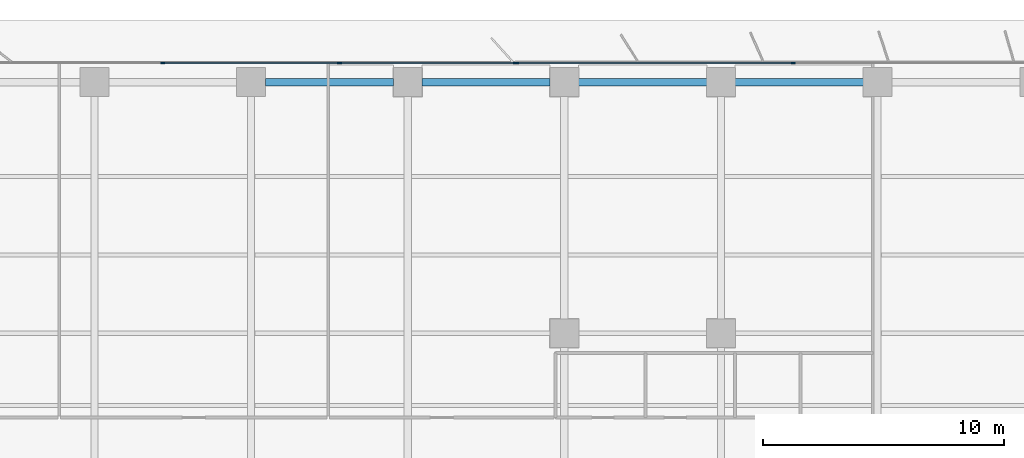
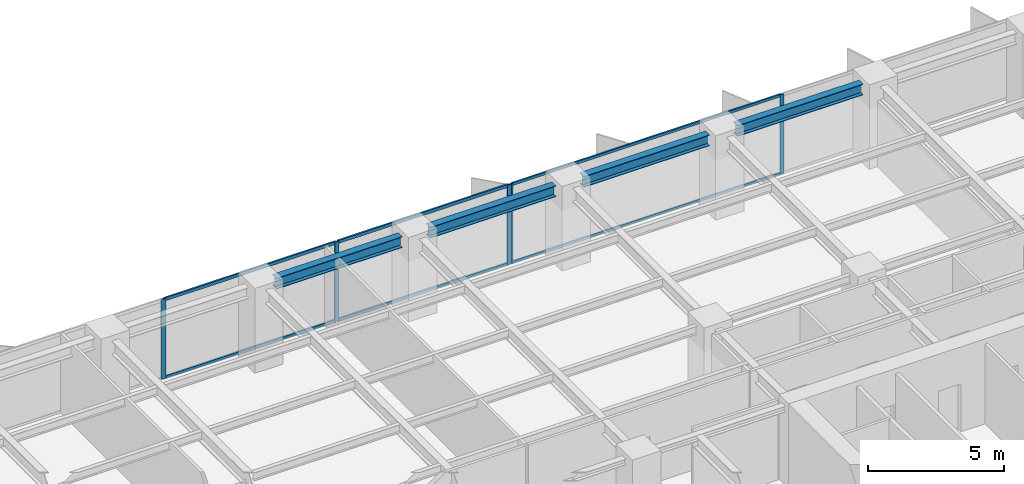
# One storey, part 9 of 19: 11 members, 4 beams, 2 elements without a shape of their own.
"""IFC4 building model written with IfcOpenShell, lengths in metres."""

from ifc_helpers import new_model, si_unit, direction, frame, origin, origin_2d, place, context, subcontext, project, spatial, rectangle, i_section, extrude, material, layer, layer_set, material_profile, profile_set, type_object, element, aggregate, save


model = new_model("IFC4")

# Units and contexts
model_context = context("Model", 3, precision=1e-05, world=origin(), true_north=direction((0.0, 1.0)))
body_context = subcontext(model_context, "Body", "Model", "MODEL_VIEW")
ifc_project = project(units=[si_unit("LENGTHUNIT", "METRE"), si_unit("AREAUNIT", "SQUARE_METRE"), si_unit("VOLUMEUNIT", "CUBIC_METRE"), si_unit("PLANEANGLEUNIT", "RADIAN"), si_unit("MASSUNIT", "GRAM", prefix="KILO")], contexts=[model_context])

# Site, building, storey
site_placement = place(None, origin())
site = spatial("IfcSite", under=ifc_project, at=site_placement, CompositionType="ELEMENT")
building_placement = place(site_placement, origin())
building = spatial("IfcBuilding", under=site, at=building_placement, Name="Putna Gate Headquarters", CompositionType="ELEMENT")
storey_placement = place(building_placement, frame((0.0, 0.0, 86.0)))
storey = spatial("IfcBuildingStorey", under=building, at=storey_placement, Name="L20", CompositionType="ELEMENT", Elevation=86.0)

# Beams
ifc_material_1 = material(Name="Steel S355J2", Category="steel")
ifc_material_profile_1 = material_profile(ifc_material_1, i_section(OverallWidth=0.300048828125, OverallDepth=0.489990234375, WebThickness=0.011962890625, FlangeThickness=0.02294921875, at=origin_2d()), Name="Steel S355J2")
ifc_profile_set_1 = profile_set([ifc_material_profile_1], Name="Steel S355J2")
beam_type = type_object("IfcBeamType", Name="BM-SPAN-Z2-HEA500", PredefinedType="SPANDREL", material=ifc_profile_set_1)
for number, where, z_axis, x_axis, name in (
    (1, (39.587890625, 49.419921875, 3.320068359375), (1.0, 0.0, 0.0), (0.0, 1.0, 0.0), "L20 N Perimeter Spandrel 6"),
    (2, (46.087890625, 49.419921875, 3.320068359375), (1.0, 0.0, 0.0), (0.0, 1.0, 0.0), "L20 N Perimeter Spandrel 7"),
    (3, (52.587890625, 49.419921875, 3.320068359375), (1.0, 0.0, 0.0), (0.0, 1.0, 0.0), "L20 N Perimeter Spandrel 8"),
    (4, (59.087890625, 49.419921875, 3.320068359375), (1.0, 0.0, 0.0), (0.0, 1.0, 0.0), "L20 N Perimeter Spandrel 9"),
):
    element("IfcBeam", number, at=place(storey_placement, frame(where, z_axis=z_axis, x_axis=x_axis)), inside=storey, type_object=beam_type, Name=name, PredefinedType="SPANDREL", context=body_context, shape_type="SweptSolid", body=[
        extrude(i_section(OverallWidth=0.300048828125, OverallDepth=0.489990234375, WebThickness=0.011962890625, FlangeThickness=0.02294921875, at=origin_2d()), origin(), (0.0, 0.0, 1.0), 5.32421875),
    ])

# Curtain wall, members
ifc_material_2 = material(Name="Anodised bronze aluminium curtain wall", Category="aluminium")
ifc_layer_1 = layer(ifc_material_2, 0.159912109375)
ifc_layer_set_1 = layer_set([ifc_layer_1], Name="Anodised bronze aluminium curtain wall")
curtain_wall_type_1 = type_object("IfcCurtainWallType", Name="CW-SYS-Z2", PredefinedType="USERDEFINED", material=ifc_layer_set_1)
curtain_wall_1_placement = place(storey_placement, origin())
curtain_wall_1 = element("IfcCurtainWall", 5, at=curtain_wall_1_placement, inside=storey, type_object=curtain_wall_type_1, Name="L20 North East Curtain Wall", ObjectType="STICK CURTAIN WALL", PredefinedType="USERDEFINED")
ifc_material_3 = material(Name="Anodised bronze aluminium EN AW-6060", Category="aluminium")
ifc_material_profile_2 = material_profile(ifc_material_3, rectangle(XDim=0.06494140625, YDim=0.159912109375, at=origin_2d()), Name="Anodised bronze aluminium EN AW-6060")
ifc_profile_set_2 = profile_set([ifc_material_profile_2], Name="Anodised bronze aluminium EN AW-6060")
member_type_1 = type_object("IfcMemberType", Name="MULL-CWM-2", PredefinedType="MULLION", material=ifc_profile_set_2)
member_1_placement = place(storey_placement, frame((50.032470703125, 50.219970703125, 0.0), z_axis=(0.0, 0.0, 1.0), x_axis=(0.0, 1.0, 0.0)))
member_1 = element("IfcMember", 6, at=member_1_placement, type_object=member_type_1, Name="CWS-2 mullion 1", PredefinedType="MULLION", context=body_context, shape_type="SweptSolid", body=[
    extrude(rectangle(XDim=0.06494140625, YDim=0.159912109375, at=origin_2d()), origin(), (0.0, 0.0, 1.0), 3.56494140625),
])
member_2_placement = place(storey_placement, frame((61.5, 50.219970703125, 0.0), z_axis=(0.0, 0.0, 1.0), x_axis=(0.0, 1.0, 0.0)))
member_2 = element("IfcMember", 7, at=member_2_placement, type_object=member_type_1, Name="CWS-2 mullion 2", PredefinedType="MULLION", context=body_context, shape_type="SweptSolid", body=[
    extrude(rectangle(XDim=0.06494140625, YDim=0.159912109375, at=origin_2d()), origin(), (0.0, 0.0, 1.0), 3.56494140625),
])

ifc_layer_2 = layer(ifc_material_2, 0.179931640625)
ifc_layer_set_2 = layer_set([ifc_layer_2], Name="Anodised bronze aluminium curtain wall")
curtain_wall_type_2 = type_object("IfcCurtainWallType", Name="CW-SYS-ATR", PredefinedType="USERDEFINED", material=ifc_layer_set_2)
curtain_wall_2_placement = place(storey_placement, origin())
curtain_wall_2 = element("IfcCurtainWall", 8, at=curtain_wall_2_placement, inside=storey, type_object=curtain_wall_type_2, Name="L20 North Atrium Clear Glazing", ObjectType="ATRIUM GLAZING", PredefinedType="USERDEFINED")
ifc_material_profile_3 = material_profile(ifc_material_3, rectangle(XDim=0.070068359375, YDim=0.179931640625, at=origin_2d()), Name="Anodised bronze aluminium EN AW-6060")
ifc_profile_set_3 = profile_set([ifc_material_profile_3], Name="Anodised bronze aluminium EN AW-6060")
member_type_2 = type_object("IfcMemberType", Name="MULL-CWM-AT", PredefinedType="MULLION", material=ifc_profile_set_3)
member_3_placement = place(storey_placement, frame((35.333251953125, 50.219970703125, 0.0), z_axis=(0.0, 0.0, 1.0), x_axis=(0.0, 1.0, 0.0)))
member_3 = element("IfcMember", 9, at=member_3_placement, type_object=member_type_2, Name="CWS-AT mullion 2", PredefinedType="MULLION", context=body_context, shape_type="SweptSolid", body=[
    extrude(rectangle(XDim=0.070068359375, YDim=0.179931640625, at=origin_2d()), origin(), (0.0, 0.0, 1.0), 3.56494140625),
])
member_4_placement = place(storey_placement, frame((42.666748046875, 50.219970703125, 0.0), z_axis=(0.0, 0.0, 1.0), x_axis=(0.0, 1.0, 0.0)))
member_4 = element("IfcMember", 10, at=member_4_placement, type_object=member_type_2, Name="CWS-AT mullion 3", PredefinedType="MULLION", context=body_context, shape_type="SweptSolid", body=[
    extrude(rectangle(XDim=0.070068359375, YDim=0.179931640625, at=origin_2d()), origin(), (0.0, 0.0, 1.0), 3.56494140625),
])
member_5_placement = place(storey_placement, frame((49.965087890625, 50.219970703125, 0.0), z_axis=(0.0, 0.0, 1.0), x_axis=(0.0, 1.0, 0.0)))
member_5 = element("IfcMember", 11, at=member_5_placement, type_object=member_type_2, Name="CWS-AT mullion 4", PredefinedType="MULLION", context=body_context, shape_type="SweptSolid", body=[
    extrude(rectangle(XDim=0.070068359375, YDim=0.179931640625, at=origin_2d()), origin(), (0.0, 0.0, 1.0), 3.56494140625),
])

# Member
ifc_material_profile_4 = material_profile(ifc_material_3, rectangle(XDim=0.06494140625, YDim=0.1201171875, at=origin_2d()), Name="Anodised bronze aluminium EN AW-6060")
ifc_profile_set_4 = profile_set([ifc_material_profile_4], Name="Anodised bronze aluminium EN AW-6060")
member_type_3 = type_object("IfcMemberType", Name="TRAN-CWT-2", PredefinedType="USERDEFINED", material=ifc_profile_set_4)
member_6_placement = place(storey_placement, frame((50.06494140625, 50.219970703125, 0.032470703125), z_axis=(1.0, 0.0, 0.0), x_axis=(0.0, 1.0, 0.0)))
member_6 = element("IfcMember", 12, at=member_6_placement, type_object=member_type_3, Name="CWS-2 transom 1.1", ObjectType="TRANSOM", PredefinedType="USERDEFINED", context=body_context, shape_type="SweptSolid", body=[
    extrude(rectangle(XDim=0.06494140625, YDim=0.1201171875, at=origin_2d()), origin(), (0.0, 0.0, 1.0), 11.402587890625),
])

member_7_placement = place(storey_placement, frame((50.06494140625, 50.219970703125, 3.532470703125), z_axis=(1.0, 0.0, 0.0), x_axis=(0.0, 1.0, 0.0)))
member_7 = element("IfcMember", 13, at=member_7_placement, type_object=member_type_3, Name="CWS-2 transom 1.2", ObjectType="TRANSOM", PredefinedType="USERDEFINED", context=body_context, shape_type="SweptSolid", body=[
    extrude(rectangle(XDim=0.06494140625, YDim=0.1201171875, at=origin_2d()), origin(), (0.0, 0.0, 1.0), 11.402587890625),
])

aggregate(curtain_wall_1, [member_1, member_2, member_6, member_7])

ifc_material_profile_5 = material_profile(ifc_material_3, rectangle(XDim=0.070068359375, YDim=0.139892578125, at=origin_2d()), Name="Anodised bronze aluminium EN AW-6060")
ifc_profile_set_5 = profile_set([ifc_material_profile_5], Name="Anodised bronze aluminium EN AW-6060")
member_type_4 = type_object("IfcMemberType", Name="TRAN-CWT-AT", PredefinedType="USERDEFINED", material=ifc_profile_set_5)
member_8_placement = place(storey_placement, frame((35.368408203125, 50.219970703125, 0.034912109375), z_axis=(1.0, 0.0, 0.0), x_axis=(0.0, 1.0, 0.0)))
member_8 = element("IfcMember", 14, at=member_8_placement, type_object=member_type_4, Name="CWS-AT transom 2.1", ObjectType="TRANSOM", PredefinedType="USERDEFINED", context=body_context, shape_type="SweptSolid", body=[
    extrude(rectangle(XDim=0.070068359375, YDim=0.139892578125, at=origin_2d()), origin(), (0.0, 0.0, 1.0), 7.26318359375),
])

member_9_placement = place(storey_placement, frame((35.368408203125, 50.219970703125, 3.530029296875), z_axis=(1.0, 0.0, 0.0), x_axis=(0.0, 1.0, 0.0)))
member_9 = element("IfcMember", 15, at=member_9_placement, type_object=member_type_4, Name="CWS-AT transom 2.2", ObjectType="TRANSOM", PredefinedType="USERDEFINED", context=body_context, shape_type="SweptSolid", body=[
    extrude(rectangle(XDim=0.070068359375, YDim=0.139892578125, at=origin_2d()), origin(), (0.0, 0.0, 1.0), 7.26318359375),
])

member_10_placement = place(storey_placement, frame((42.70166015625, 50.219970703125, 0.034912109375), z_axis=(1.0, 0.0, 0.0), x_axis=(0.0, 1.0, 0.0)))
member_10 = element("IfcMember", 16, at=member_10_placement, type_object=member_type_4, Name="CWS-AT transom 3.1", ObjectType="TRANSOM", PredefinedType="USERDEFINED", context=body_context, shape_type="SweptSolid", body=[
    extrude(rectangle(XDim=0.070068359375, YDim=0.139892578125, at=origin_2d()), origin(), (0.0, 0.0, 1.0), 7.228271484375),
])

member_11_placement = place(storey_placement, frame((42.70166015625, 50.219970703125, 3.530029296875), z_axis=(1.0, 0.0, 0.0), x_axis=(0.0, 1.0, 0.0)))
member_11 = element("IfcMember", 17, at=member_11_placement, type_object=member_type_4, Name="CWS-AT transom 3.2", ObjectType="TRANSOM", PredefinedType="USERDEFINED", context=body_context, shape_type="SweptSolid", body=[
    extrude(rectangle(XDim=0.070068359375, YDim=0.139892578125, at=origin_2d()), origin(), (0.0, 0.0, 1.0), 7.228271484375),
])

aggregate(curtain_wall_2, [member_3, member_4, member_5, member_8, member_9, member_10, member_11])

save(model, "model.ifc")
